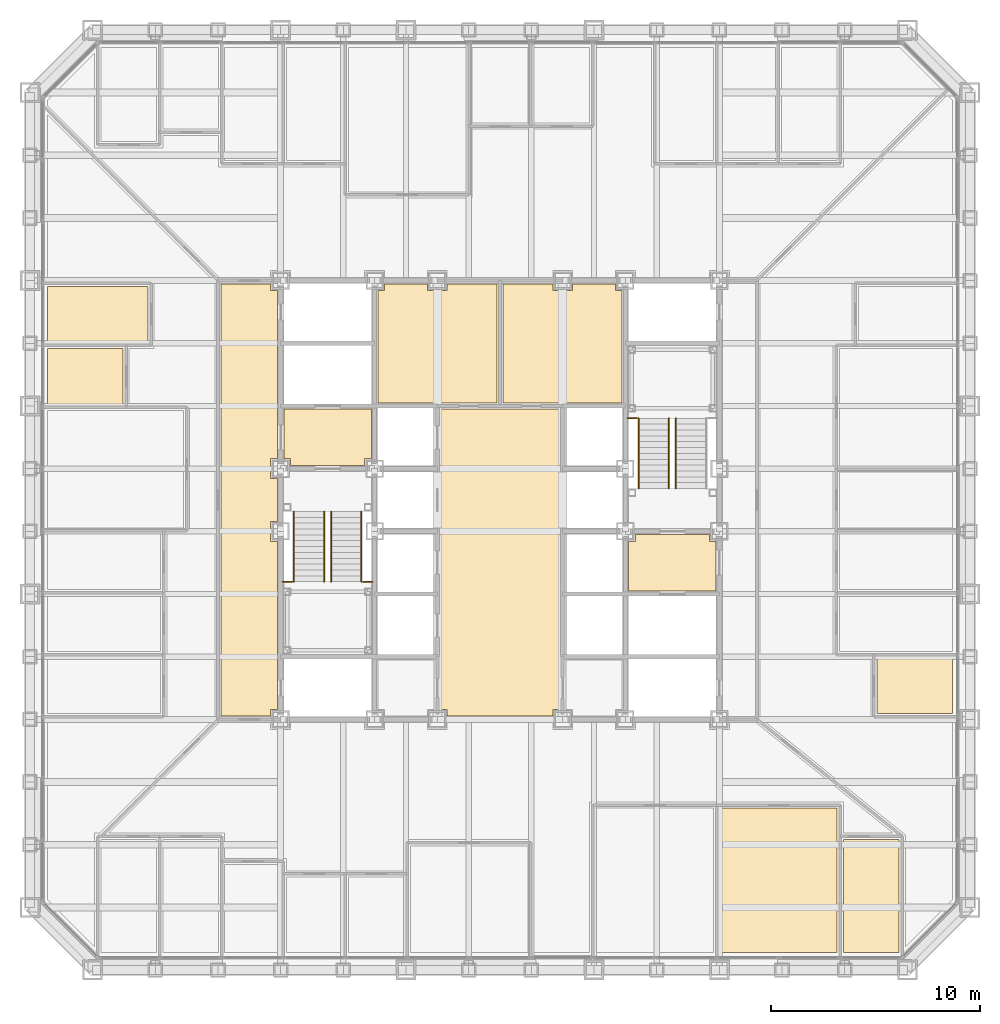
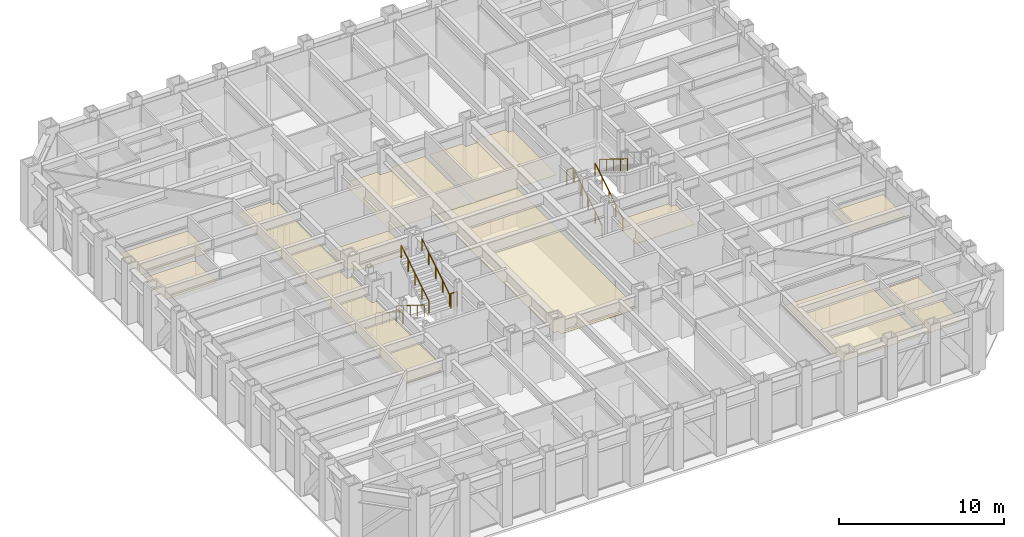
# One storey, part 15 of 17: 11 coverings, 10 railings.
"""IFC4 building model written with IfcOpenShell, lengths in metres."""

from ifc_helpers import new_model, si_unit, direction, frame, origin, origin_2d, place, context, subcontext, project, spatial, polyline, circle, outline, extrude, material, layer, layer_set, type_object, element, save


model = new_model("IFC4")

# Units and contexts
model_context = context("Model", 3, precision=1e-05, world=origin(), true_north=direction((0.0, 1.0)))
body_context = subcontext(model_context, "Body", "Model", "MODEL_VIEW")
ifc_project = project(units=[si_unit("LENGTHUNIT", "METRE"), si_unit("AREAUNIT", "SQUARE_METRE"), si_unit("VOLUMEUNIT", "CUBIC_METRE"), si_unit("PLANEANGLEUNIT", "RADIAN"), si_unit("MASSUNIT", "GRAM", prefix="KILO")], contexts=[model_context])

# Site, building, storey
site_placement = place(None, origin())
site = spatial("IfcSite", under=ifc_project, at=site_placement, CompositionType="ELEMENT")
building_placement = place(site_placement, origin())
building = spatial("IfcBuilding", under=site, at=building_placement, Name="Chuquiago Exchange Tower", CompositionType="ELEMENT")
storey_placement = place(building_placement, frame((0.0, 0.0, 42.300048828125)))
storey = spatial("IfcBuildingStorey", under=building, at=storey_placement, Name="L08", CompositionType="ELEMENT", Elevation=42.300048828125)

# Coverings
ifc_material_1 = material(Name="Mineral fibre tile, 600 x 600, on pale metal grid", Category="mineral fibre")
ifc_layer_1 = layer(ifc_material_1, 0.02001953125)
ifc_layer_set_1 = layer_set([ifc_layer_1], Name="CL1 suspended tile ceiling 20")
covering_type_1 = type_object("IfcCoveringType", Name="CL1 suspended tile ceiling 20", PredefinedType="CEILING", material=ifc_layer_set_1)
covering_1_placement = place(storey_placement, frame((0.0, 0.0, 3.0)))
element("IfcCovering", 1, at=covering_1_placement, inside=storey, type_object=covering_type_1, Name="Ceiling Market data room", PredefinedType="CEILING", context=body_context, shape_type="SweptSolid", body=[
    extrude(outline(polyline([(33.01611328125, 7.75), (38.6396484375, 7.75), (38.6396484375, 0.85009765625), (33.01611328125, 0.85009765625), (33.01611328125, 7.75)])), origin(), (0.0, 0.0, 1.0), 0.02001953125),
])
covering_2_placement = place(storey_placement, frame((0.0, 0.0, 3.0)))
element("IfcCovering", 2, at=covering_2_placement, inside=storey, type_object=covering_type_1, Name="Ceiling Trading support room", PredefinedType="CEILING", context=body_context, shape_type="SweptSolid", body=[
    extrude(outline(polyline([(38.939697265625, 0.85009765625), (38.939697265625, 6.25), (41.6015625, 6.25), (41.6015625, 0.85009765625), (38.939697265625, 0.85009765625)])), origin(), (0.0, 0.0, 1.0), 0.02001953125),
])
covering_3_placement = place(storey_placement, frame((0.0, 0.0, 3.0)))
element("IfcCovering", 3, at=covering_3_placement, inside=storey, type_object=covering_type_1, Name="Ceiling Focus room", PredefinedType="CEILING", context=body_context, shape_type="SweptSolid", body=[
    extrude(outline(polyline([(40.550048828125, 12.28369140625), (40.550048828125, 14.945556640625), (44.14990234375, 14.945556640625), (44.14990234375, 12.28369140625), (40.550048828125, 12.28369140625)])), origin(), (0.0, 0.0, 1.0), 0.02001953125),
])
covering_4_placement = place(storey_placement, frame((0.0, 0.0, 3.0)))
element("IfcCovering", 4, at=covering_4_placement, inside=storey, type_object=covering_type_1, Name="Ceiling Focus room", PredefinedType="CEILING", context=body_context, shape_type="SweptSolid", body=[
    extrude(outline(polyline([(4.449951171875, 29.75439453125), (4.449951171875, 27.092529296875), (0.85009765625, 27.092529296875), (0.85009765625, 29.75439453125), (4.449951171875, 29.75439453125)])), origin(), (0.0, 0.0, 1.0), 0.02001953125),
])
covering_5_placement = place(storey_placement, frame((0.0, 0.0, 3.0)))
element("IfcCovering", 5, at=covering_5_placement, inside=storey, type_object=covering_type_1, Name="Ceiling Wellness room", PredefinedType="CEILING", context=body_context, shape_type="SweptSolid", body=[
    extrude(outline(polyline([(5.64990234375, 32.71630859375), (5.64990234375, 30.054443359375), (0.85009765625, 30.054443359375), (0.85009765625, 32.71630859375), (5.64990234375, 32.71630859375)])), origin(), (0.0, 0.0, 1.0), 0.02001953125),
])
covering_6_placement = place(storey_placement, frame((0.0, 0.0, 3.0)))
element("IfcCovering", 6, at=covering_6_placement, inside=storey, type_object=covering_type_1, Name="Ceiling Circulation corridor", PredefinedType="CEILING", context=body_context, shape_type="SweptSolid", body=[
    extrude(outline(polyline([(9.14990234375, 12.14990234375), (9.14990234375, 32.85009765625), (11.52490234375, 32.85009765625), (11.52490234375, 32.52490234375), (11.85009765625, 32.52490234375), (11.85009765625, 24.47509765625), (11.52490234375, 24.47509765625), (11.52490234375, 23.52490234375), (11.85009765625, 23.52490234375), (11.85009765625, 21.47509765625), (11.52490234375, 21.47509765625), (11.52490234375, 20.52490234375), (11.85009765625, 20.52490234375), (11.85009765625, 12.47509765625), (11.52490234375, 12.47509765625), (11.52490234375, 12.14990234375), (9.14990234375, 12.14990234375)])), origin(), (0.0, 0.0, 1.0), 0.02001953125),
])
ifc_material_2 = material(Name="Moisture resistant plasterboard on metal frame", Category="gypsum")
ifc_layer_2 = layer(ifc_material_2, 0.014892578125)
ifc_layer_set_2 = layer_set([ifc_layer_2], Name="CL2 moisture resistant ceiling 15")
covering_type_2 = type_object("IfcCoveringType", Name="CL2 moisture resistant ceiling 15", PredefinedType="CEILING", material=ifc_layer_set_2)
covering_7_placement = place(storey_placement, frame((0.0, 0.0, 2.599853515625)))
element("IfcCovering", 7, at=covering_7_placement, inside=storey, type_object=covering_type_2, Name="Ceiling Male WC", PredefinedType="CEILING", context=body_context, shape_type="SweptSolid", body=[
    extrude(outline(polyline([(16.64990234375, 27.14990234375), (16.64990234375, 32.52490234375), (16.97509765625, 32.52490234375), (16.97509765625, 32.85009765625), (19.02490234375, 32.85009765625), (19.02490234375, 32.52490234375), (19.97509765625, 32.52490234375), (19.97509765625, 32.85009765625), (22.35009765625, 32.85009765625), (22.35009765625, 27.14990234375), (16.64990234375, 27.14990234375)])), origin(), (0.0, 0.0, 1.0), 0.01513671875),
])
covering_8_placement = place(storey_placement, frame((0.0, 0.0, 2.599853515625)))
element("IfcCovering", 8, at=covering_8_placement, inside=storey, type_object=covering_type_2, Name="Ceiling Female WC", PredefinedType="CEILING", context=body_context, shape_type="SweptSolid", body=[
    extrude(outline(polyline([(22.64990234375, 27.14990234375), (22.64990234375, 32.85009765625), (25.02490234375, 32.85009765625), (25.02490234375, 32.52490234375), (25.97509765625, 32.52490234375), (25.97509765625, 32.85009765625), (28.02490234375, 32.85009765625), (28.02490234375, 32.52490234375), (28.35009765625, 32.52490234375), (28.35009765625, 27.14990234375), (22.64990234375, 27.14990234375)])), origin(), (0.0, 0.0, 1.0), 0.01513671875),
])
ifc_material_3 = material(Name="Pale metal plank ceiling, perforated", Category="aluminium")
ifc_layer_3 = layer(ifc_material_3, 0.030029296875)
ifc_layer_set_3 = layer_set([ifc_layer_3], Name="CL3 metal plank ceiling 30")
covering_type_3 = type_object("IfcCoveringType", Name="CL3 metal plank ceiling 30", PredefinedType="CEILING", material=ifc_layer_set_3)
covering_9_placement = place(storey_placement, frame((0.0, 0.0, 2.800048828125)))
element("IfcCovering", 9, at=covering_9_placement, inside=storey, type_object=covering_type_3, Name="Ceiling Lift lobby", PredefinedType="CEILING", context=body_context, shape_type="SweptSolid", body=[
    extrude(outline(polyline([(19.97509765625, 12.14990234375), (19.97509765625, 12.47509765625), (19.64990234375, 12.47509765625), (19.64990234375, 26.85009765625), (25.35009765625, 26.85009765625), (25.35009765625, 12.47509765625), (25.02490234375, 12.47509765625), (25.02490234375, 12.14990234375), (19.97509765625, 12.14990234375)])), origin(), (0.0, 0.0, 1.0), 0.02978515625),
])
covering_10_placement = place(storey_placement, frame((0.0, 0.0, 2.800048828125)))
element("IfcCovering", 10, at=covering_10_placement, inside=storey, type_object=covering_type_3, Name="Ceiling Firefighting lobby", PredefinedType="CEILING", context=body_context, shape_type="SweptSolid", body=[
    extrude(outline(polyline([(12.47509765625, 24.14990234375), (12.47509765625, 24.47509765625), (12.14990234375, 24.47509765625), (12.14990234375, 26.85009765625), (16.35009765625, 26.85009765625), (16.35009765625, 24.47509765625), (16.02490234375, 24.47509765625), (16.02490234375, 24.14990234375), (12.47509765625, 24.14990234375)])), origin(), (0.0, 0.0, 1.0), 0.02978515625),
])
covering_11_placement = place(storey_placement, frame((0.0, 0.0, 2.800048828125)))
element("IfcCovering", 11, at=covering_11_placement, inside=storey, type_object=covering_type_3, Name="Ceiling Firefighting lobby", PredefinedType="CEILING", context=body_context, shape_type="SweptSolid", body=[
    extrude(outline(polyline([(28.64990234375, 18.14990234375), (28.64990234375, 20.52490234375), (28.97509765625, 20.52490234375), (28.97509765625, 20.85009765625), (32.52490234375, 20.85009765625), (32.52490234375, 20.52490234375), (32.85009765625, 20.52490234375), (32.85009765625, 18.14990234375), (28.64990234375, 18.14990234375)])), origin(), (0.0, 0.0, 1.0), 0.02978515625),
])

# Railings
ifc_material_4 = material(Name="Pale metal guard with safety glass infill", Category="glass")
railing_type_1 = type_object("IfcRailingType", Name="GR1 guard 1100", PredefinedType="GUARDRAIL", material=ifc_material_4)
for number, where, name in (
    (12, (12.10009765625, 18.590087890625, 2.25), "Guard ST1 L08 landing 2"),
    (13, (15.945068359375, 18.590087890625, 2.25), "Guard ST1 L08 landing 2"),
    (14, (28.60009765625, 26.409912109375, 2.25), "Guard ST2 L08 landing 2"),
):
    element("IfcRailing", number, at=place(storey_placement, frame(where)), inside=storey, type_object=railing_type_1, Name=name, PredefinedType="GUARDRAIL", context=body_context, shape_type="SweptSolid", body=[
        extrude(circle(Radius=0.02392578125, at=origin_2d()), frame((0.0, 0.0, 1.076171875), z_axis=(1.0, 0.0, 0.0), x_axis=(0.0, 1.0, 0.0)), (0.0, 0.0, 1.0), 0.454833984375),
        extrude(circle(Radius=0.02099609375, at=origin_2d()), origin(), (0.0, 0.0, 1.0), 1.052001953125),
        extrude(circle(Radius=0.02099609375, at=origin_2d()), frame((0.454833984375, 0.0, 0.0)), (0.0, 0.0, 1.0), 1.052001953125),
    ])
ifc_material_5 = material(Name="Pale metal handrail", Category="steel")
railing_type_2 = type_object("IfcRailingType", Name="HR1 handrail 900", PredefinedType="HANDRAIL", material=ifc_material_5)
for number, where, name in (
    (15, (12.635009765625, 21.949951171875, 0.173095703125), "Handrail ST1 L08 flight 1"),
    (16, (14.0849609375, 21.949951171875, 0.173095703125), "Handrail ST1 L08 flight 1"),
):
    element("IfcRailing", number, at=place(storey_placement, frame(where)), inside=storey, type_object=railing_type_2, Name=name, PredefinedType="HANDRAIL", context=body_context, shape_type="SweptSolid", body=[
        extrude(circle(Radius=0.02392578125, at=origin_2d()), frame((0.0, 0.0, 0.8759765625), z_axis=(0.0, -0.850606129759, 0.525803396734), x_axis=(1.0, 0.0, 0.0)), (0.0, 0.0, 1.0), 3.949951171875),
        extrude(circle(Radius=0.02099609375, at=origin_2d()), origin(), (0.0, 0.0, 1.0), 0.851806640625),
        extrude(circle(Radius=0.02099609375, at=origin_2d()), frame((0.0, -0.83984375, 0.519287109375)), (0.0, 0.0, 1.0), 0.851806640625),
        extrude(circle(Radius=0.02099609375, at=origin_2d()), frame((0.0, -1.679931640625, 1.03857421875)), (0.0, 0.0, 1.0), 0.851806640625),
        extrude(circle(Radius=0.02099609375, at=origin_2d()), frame((0.0, -2.52001953125, 1.5576171875)), (0.0, 0.0, 1.0), 0.851806640625),
        extrude(circle(Radius=0.02099609375, at=origin_2d()), frame((0.0, -3.35986328125, 2.076904296875)), (0.0, 0.0, 1.0), 0.851806640625),
    ])
for number, where, name in (
    (17, (15.864990234375, 18.590087890625, 2.423095703125), "Handrail ST1 L08 flight 2"),
    (18, (14.4150390625, 18.590087890625, 2.423095703125), "Handrail ST1 L08 flight 2"),
    (19, (30.5849609375, 23.050048828125, 0.173095703125), "Handrail ST2 L08 flight 1"),
    (20, (29.135009765625, 23.050048828125, 0.173095703125), "Handrail ST2 L08 flight 1"),
):
    element("IfcRailing", number, at=place(storey_placement, frame(where)), inside=storey, type_object=railing_type_2, Name=name, PredefinedType="HANDRAIL", context=body_context, shape_type="SweptSolid", body=[
        extrude(circle(Radius=0.02392578125, at=origin_2d()), frame((0.0, 0.0, 0.8759765625), z_axis=(0.0, 0.850606129759, 0.525803396734), x_axis=(-1.0, 0.0, 0.0)), (0.0, 0.0, 1.0), 3.949951171875),
        extrude(circle(Radius=0.02099609375, at=origin_2d()), origin(), (0.0, 0.0, 1.0), 0.851806640625),
        extrude(circle(Radius=0.02099609375, at=origin_2d()), frame((0.0, 0.83984375, 0.519287109375)), (0.0, 0.0, 1.0), 0.851806640625),
        extrude(circle(Radius=0.02099609375, at=origin_2d()), frame((0.0, 1.679931640625, 1.03857421875)), (0.0, 0.0, 1.0), 0.851806640625),
        extrude(circle(Radius=0.02099609375, at=origin_2d()), frame((0.0, 2.52001953125, 1.5576171875)), (0.0, 0.0, 1.0), 0.851806640625),
        extrude(circle(Radius=0.02099609375, at=origin_2d()), frame((0.0, 3.35986328125, 2.076904296875)), (0.0, 0.0, 1.0), 0.851806640625),
    ])
railing_placement = place(storey_placement, frame((30.9150390625, 26.409912109375, 2.423095703125)))
element("IfcRailing", 21, at=railing_placement, inside=storey, type_object=railing_type_2, Name="Handrail ST2 L08 flight 2", PredefinedType="HANDRAIL", context=body_context, shape_type="SweptSolid", body=[
    extrude(circle(Radius=0.02392578125, at=origin_2d()), frame((0.0, 0.0, 0.8759765625), z_axis=(0.0, -0.850606129759, 0.525803396734), x_axis=(1.0, 0.0, 0.0)), (0.0, 0.0, 1.0), 3.949951171875),
    extrude(circle(Radius=0.02099609375, at=origin_2d()), origin(), (0.0, 0.0, 1.0), 0.851806640625),
    extrude(circle(Radius=0.02099609375, at=origin_2d()), frame((0.0, -0.83984375, 0.519287109375)), (0.0, 0.0, 1.0), 0.851806640625),
    extrude(circle(Radius=0.02099609375, at=origin_2d()), frame((0.0, -1.679931640625, 1.03857421875)), (0.0, 0.0, 1.0), 0.851806640625),
    extrude(circle(Radius=0.02099609375, at=origin_2d()), frame((0.0, -2.52001953125, 1.5576171875)), (0.0, 0.0, 1.0), 0.851806640625),
    extrude(circle(Radius=0.02099609375, at=origin_2d()), frame((0.0, -3.35986328125, 2.076904296875)), (0.0, 0.0, 1.0), 0.851806640625),
])

save(model, "model.ifc")
